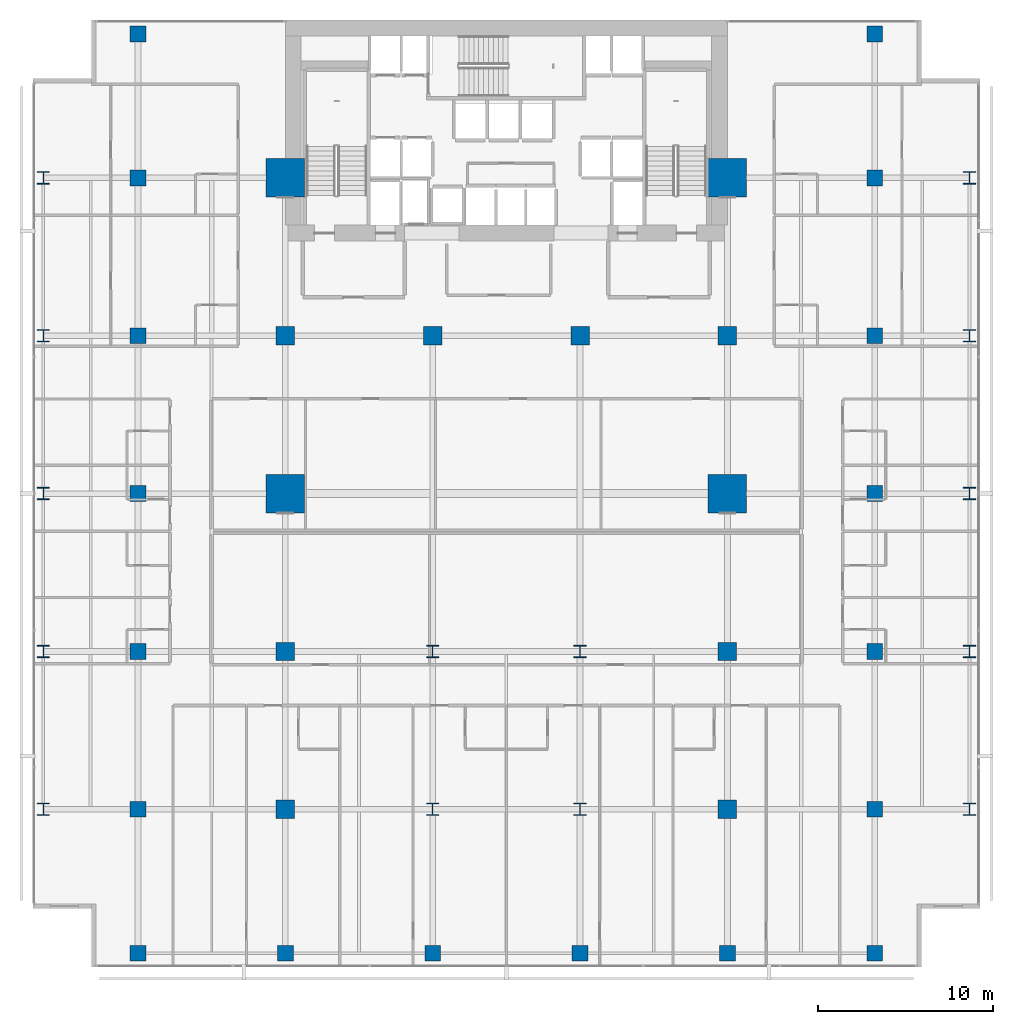
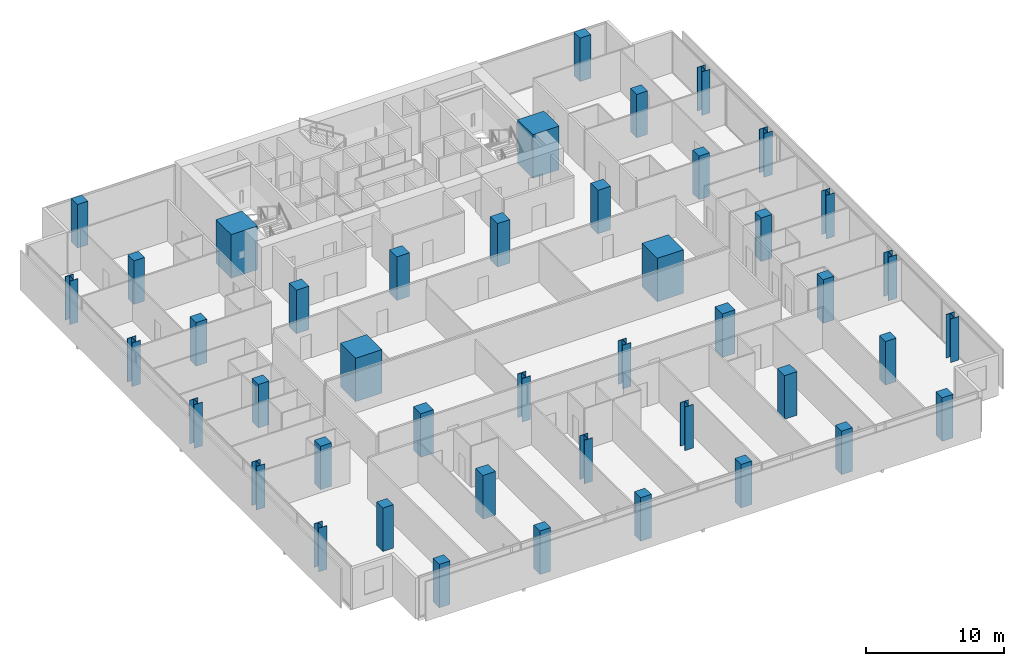
# One storey, part 1 of 40: 44 columns.
"""IFC4 building model written with IfcOpenShell, lengths in metres."""

from ifc_helpers import new_model, si_unit, direction, frame, origin, origin_2d, place, context, subcontext, project, spatial, rectangle, i_section, extrude, material, material_profile, profile_set, type_object, element, save


model = new_model("IFC4")

# Units and contexts
model_context = context("Model", 3, precision=1e-05, world=origin(), true_north=direction((0.0, 1.0)))
body_context = subcontext(model_context, "Body", "Model", "MODEL_VIEW")
ifc_project = project(units=[si_unit("LENGTHUNIT", "METRE"), si_unit("AREAUNIT", "SQUARE_METRE"), si_unit("VOLUMEUNIT", "CUBIC_METRE"), si_unit("PLANEANGLEUNIT", "RADIAN"), si_unit("MASSUNIT", "GRAM", prefix="KILO")], contexts=[model_context])

# Site, building, storey
site_placement = place(None, origin())
site = spatial("IfcSite", under=ifc_project, at=site_placement, CompositionType="ELEMENT")
building_placement = place(site_placement, origin())
building = spatial("IfcBuilding", under=site, at=building_placement, Name="Maruvema Waterfront Hotel and Observation Tower", CompositionType="ELEMENT")
storey_placement = place(building_placement, frame((0.0, 0.0, 100.10009765625)))
storey = spatial("IfcBuildingStorey", under=building, at=storey_placement, Name="L24", CompositionType="ELEMENT", Elevation=100.10009765625)

# Columns
ifc_material_1 = material(Name="Concrete C80/95", Category="concrete")
ifc_material_profile_1 = material_profile(ifc_material_1, rectangle(XDim=2.199951171875, YDim=2.199951171875, at=origin_2d()), Name="MC2200x2200")
ifc_profile_set_1 = profile_set([ifc_material_profile_1], Name="Concrete C80/95")
column_type_1 = type_object("IfcColumnType", Name="Continuous Mega-Column MC2200x2200", PredefinedType="COLUMN", material=ifc_profile_set_1)
for number, where, z_axis, x_axis, name in (
    (1, (25.199951171875, 27.0, 0.0), (0.0, 0.0, 1.0), (1.0, 0.0, 0.0), "L24 Continuous Mega-Column MC-01"),
    (2, (50.39990234375, 27.0, 0.0), (0.0, 0.0, 1.0), (1.0, 0.0, 0.0), "L24 Continuous Mega-Column MC-02"),
    (3, (25.199951171875, 45.0, 0.0), (0.0, 0.0, 1.0), (1.0, 0.0, 0.0), "L24 Continuous Mega-Column MC-03"),
    (4, (50.39990234375, 45.0, 0.0), (0.0, 0.0, 1.0), (1.0, 0.0, 0.0), "L24 Continuous Mega-Column MC-04"),
):
    element("IfcColumn", number, at=place(storey_placement, frame(where, z_axis=z_axis, x_axis=x_axis)), inside=storey, type_object=column_type_1, Name=name, PredefinedType="COLUMN", context=body_context, shape_type="SweptSolid", body=[
        extrude(rectangle(XDim=2.199951171875, YDim=2.199951171875, at=origin_2d()), origin(), (0.0, 0.0, 1.0), 3.849853515625),
    ])
ifc_material_2 = material(Name="Concrete C60/75", Category="concrete")
ifc_material_profile_2 = material_profile(ifc_material_2, rectangle(XDim=1.050048828125, YDim=1.050048828125, at=origin_2d()), Name="RC1050x1050")
ifc_profile_set_2 = profile_set([ifc_material_profile_2], Name="Concrete C60/75")
column_type_2 = type_object("IfcColumnType", Name="Reinforced Concrete Column RC1050x1050", PredefinedType="COLUMN", material=ifc_profile_set_2)
for number, where, z_axis, x_axis, name in (
    (5, (25.199951171875, 36.0, 0.0), (0.0, 0.0, 1.0), (1.0, 0.0, 0.0), "L24 Column C-4E"),
    (6, (33.60009765625, 36.0, 0.0), (0.0, 0.0, 1.0), (1.0, 0.0, 0.0), "L24 Column C-5E"),
    (7, (42.0, 36.0, 0.0), (0.0, 0.0, 1.0), (1.0, 0.0, 0.0), "L24 Column C-6E"),
    (8, (50.39990234375, 36.0, 0.0), (0.0, 0.0, 1.0), (1.0, 0.0, 0.0), "L24 Column C-7E"),
    (9, (25.199951171875, 18.0, 0.0), (0.0, 0.0, 1.0), (1.0, 0.0, 0.0), "L24 Column C-4C"),
    (10, (50.39990234375, 18.0, 0.0), (0.0, 0.0, 1.0), (1.0, 0.0, 0.0), "L24 Column C-7C"),
    (11, (25.199951171875, 9.0, 0.0), (0.0, 0.0, 1.0), (1.0, 0.0, 0.0), "L24 Column C-4B"),
    (12, (50.39990234375, 9.0, 0.0), (0.0, 0.0, 1.0), (1.0, 0.0, 0.0), "L24 Column C-7B"),
):
    element("IfcColumn", number, at=place(storey_placement, frame(where, z_axis=z_axis, x_axis=x_axis)), inside=storey, type_object=column_type_2, Name=name, PredefinedType="COLUMN", context=body_context, shape_type="SweptSolid", body=[
        extrude(rectangle(XDim=1.050048828125, YDim=1.050048828125, at=origin_2d()), origin(), (0.0, 0.0, 1.0), 3.849853515625),
    ])
ifc_material_3 = material(Name="Concrete C60/75", Category="concrete")
ifc_material_profile_3 = material_profile(ifc_material_3, rectangle(XDim=0.89990234375, YDim=0.89990234375, at=origin_2d()), Name="RC900x900")
ifc_profile_set_3 = profile_set([ifc_material_profile_3], Name="Concrete C60/75")
column_type_3 = type_object("IfcColumnType", Name="Reinforced Concrete Column RC900x900", PredefinedType="COLUMN", material=ifc_profile_set_3)
for number, where, z_axis, x_axis, name in (
    (13, (16.800048828125, 9.0, 0.0), (0.0, 0.0, 1.0), (1.0, 0.0, 0.0), "L24 Column C-3Y9"),
    (14, (58.800048828125, 9.0, 0.0), (0.0, 0.0, 1.0), (1.0, 0.0, 0.0), "L24 Column C-8Y9"),
    (15, (16.800048828125, 18.0, 0.0), (0.0, 0.0, 1.0), (1.0, 0.0, 0.0), "L24 Column C-3Y18"),
    (16, (58.800048828125, 18.0, 0.0), (0.0, 0.0, 1.0), (1.0, 0.0, 0.0), "L24 Column C-8Y18"),
    (17, (16.800048828125, 27.0, 0.0), (0.0, 0.0, 1.0), (1.0, 0.0, 0.0), "L24 Column C-3Y27"),
    (18, (58.800048828125, 27.0, 0.0), (0.0, 0.0, 1.0), (1.0, 0.0, 0.0), "L24 Column C-8Y27"),
    (19, (16.800048828125, 36.0, 0.0), (0.0, 0.0, 1.0), (1.0, 0.0, 0.0), "L24 Column C-3Y36"),
    (20, (58.800048828125, 36.0, 0.0), (0.0, 0.0, 1.0), (1.0, 0.0, 0.0), "L24 Column C-8Y36"),
    (21, (16.800048828125, 45.0, 0.0), (0.0, 0.0, 1.0), (1.0, 0.0, 0.0), "L24 Column C-3Y45"),
    (22, (58.800048828125, 45.0, 0.0), (0.0, 0.0, 1.0), (1.0, 0.0, 0.0), "L24 Column C-8Y45"),
    (23, (16.800048828125, 0.800048828125, 0.0), (0.0, 0.0, 1.0), (1.0, 0.0, 0.0), "L24 Column C-3A"),
    (24, (25.199951171875, 0.800048828125, 0.0), (0.0, 0.0, 1.0), (1.0, 0.0, 0.0), "L24 Column C-4A"),
    (25, (33.60009765625, 0.800048828125, 0.0), (0.0, 0.0, 1.0), (1.0, 0.0, 0.0), "L24 Column C-5A"),
    (26, (42.0, 0.800048828125, 0.0), (0.0, 0.0, 1.0), (1.0, 0.0, 0.0), "L24 Column C-6A"),
    (27, (50.39990234375, 0.800048828125, 0.0), (0.0, 0.0, 1.0), (1.0, 0.0, 0.0), "L24 Column C-7A"),
    (28, (58.800048828125, 0.800048828125, 0.0), (0.0, 0.0, 1.0), (1.0, 0.0, 0.0), "L24 Column C-8A"),
    (29, (16.800048828125, 53.199951171875, 0.0), (0.0, 0.0, 1.0), (1.0, 0.0, 0.0), "L24 Column C-3G"),
    (30, (58.800048828125, 53.199951171875, 0.0), (0.0, 0.0, 1.0), (1.0, 0.0, 0.0), "L24 Column C-8G"),
):
    element("IfcColumn", number, at=place(storey_placement, frame(where, z_axis=z_axis, x_axis=x_axis)), inside=storey, type_object=column_type_3, Name=name, PredefinedType="COLUMN", context=body_context, shape_type="SweptSolid", body=[
        extrude(rectangle(XDim=0.89990234375, YDim=0.89990234375, at=origin_2d()), origin(), (0.0, 0.0, 1.0), 3.849853515625),
    ])
ifc_material_4 = material(Name="Steel ABNT NBR 7007 AR 415 (ASTM A572 Grade 50)", Category="steel")
ifc_material_profile_4 = material_profile(ifc_material_4, i_section(OverallWidth=0.699951171875, OverallDepth=0.699951171875, WebThickness=0.028076171875, FlangeThickness=0.0439453125, at=origin_2d()), Name="CVS700x436")
ifc_profile_set_4 = profile_set([ifc_material_profile_4], Name="Steel ABNT NBR 7007 AR 415 (ASTM A572 Grade 50)")
column_type_4 = type_object("IfcColumnType", Name="Structural Steel Column CVS700x436", PredefinedType="COLUMN", material=ifc_profile_set_4)
for number, where, z_axis, x_axis, name in (
    (31, (33.60009765625, 9.0, 0.0), (0.0, 0.0, 1.0), (1.0, 0.0, 0.0), "L24 Column C-5B"),
    (32, (42.0, 9.0, 0.0), (0.0, 0.0, 1.0), (1.0, 0.0, 0.0), "L24 Column C-6B"),
    (33, (33.60009765625, 18.0, 0.0), (0.0, 0.0, 1.0), (1.0, 0.0, 0.0), "L24 Column C-5C"),
    (34, (42.0, 18.0, 0.0), (0.0, 0.0, 1.0), (1.0, 0.0, 0.0), "L24 Column C-6C"),
    (35, (11.39990234375, 9.0, 0.0), (0.0, 0.0, 1.0), (1.0, 0.0, 0.0), "L24 Column C-Z1W9"),
    (36, (64.199951171875, 9.0, 0.0), (0.0, 0.0, 1.0), (1.0, 0.0, 0.0), "L24 Column C-Z1E9"),
    (37, (11.39990234375, 18.0, 0.0), (0.0, 0.0, 1.0), (1.0, 0.0, 0.0), "L24 Column C-Z1W18"),
    (38, (64.199951171875, 18.0, 0.0), (0.0, 0.0, 1.0), (1.0, 0.0, 0.0), "L24 Column C-Z1E18"),
    (39, (11.39990234375, 27.0, 0.0), (0.0, 0.0, 1.0), (1.0, 0.0, 0.0), "L24 Column C-Z1W27"),
    (40, (64.199951171875, 27.0, 0.0), (0.0, 0.0, 1.0), (1.0, 0.0, 0.0), "L24 Column C-Z1E27"),
    (41, (11.39990234375, 36.0, 0.0), (0.0, 0.0, 1.0), (1.0, 0.0, 0.0), "L24 Column C-Z1W36"),
    (42, (64.199951171875, 36.0, 0.0), (0.0, 0.0, 1.0), (1.0, 0.0, 0.0), "L24 Column C-Z1E36"),
    (43, (11.39990234375, 45.0, 0.0), (0.0, 0.0, 1.0), (1.0, 0.0, 0.0), "L24 Column C-Z1W45"),
    (44, (64.199951171875, 45.0, 0.0), (0.0, 0.0, 1.0), (1.0, 0.0, 0.0), "L24 Column C-Z1E45"),
):
    element("IfcColumn", number, at=place(storey_placement, frame(where, z_axis=z_axis, x_axis=x_axis)), inside=storey, type_object=column_type_4, Name=name, PredefinedType="COLUMN", context=body_context, shape_type="SweptSolid", body=[
        extrude(i_section(OverallWidth=0.699951171875, OverallDepth=0.699951171875, WebThickness=0.028076171875, FlangeThickness=0.0439453125, at=origin_2d()), origin(), (0.0, 0.0, 1.0), 3.849853515625),
    ])

save(model, "model.ifc")
